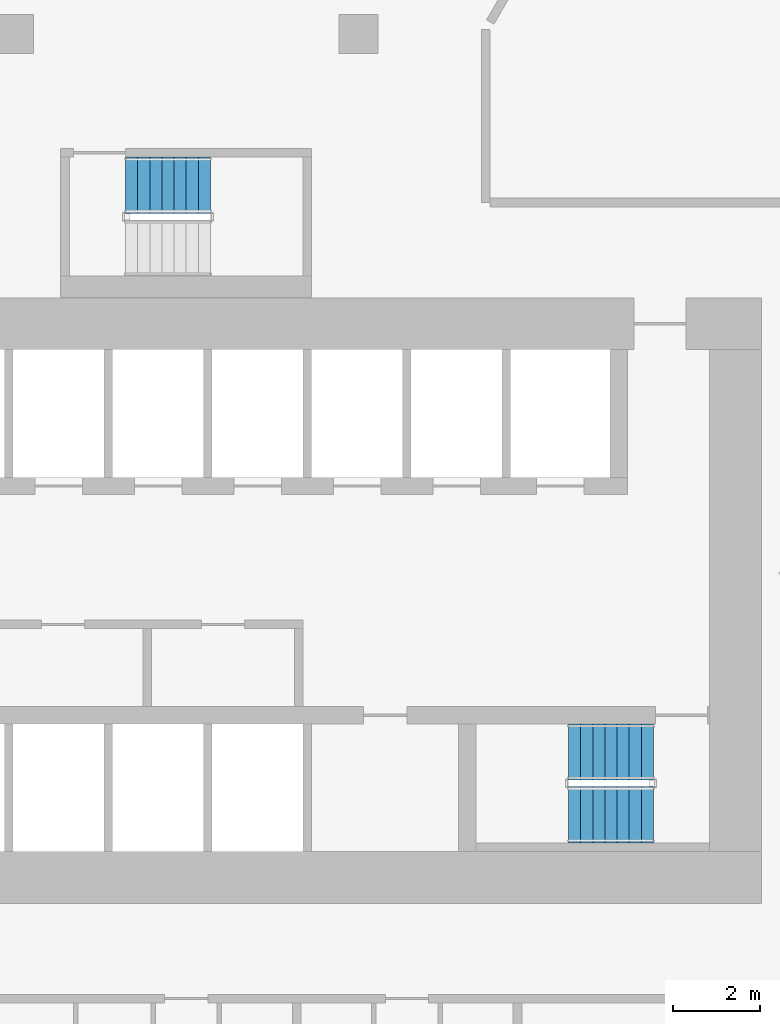
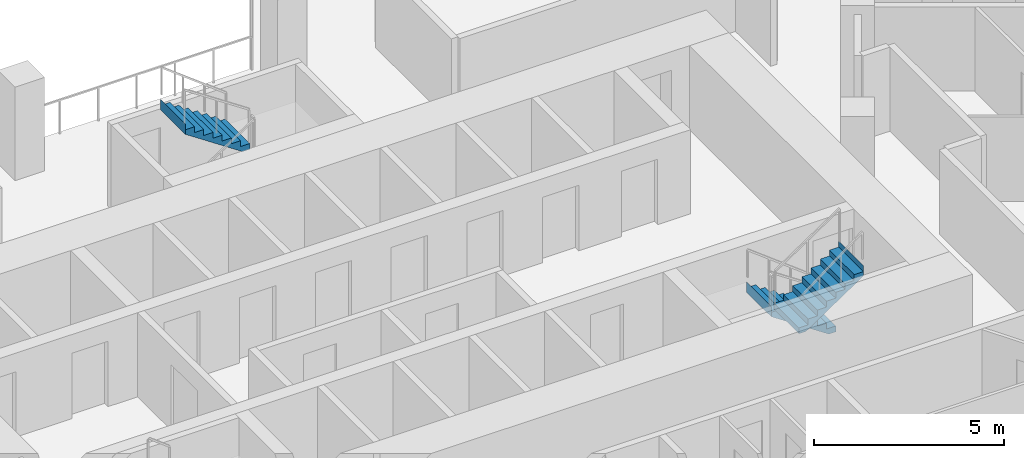
# One storey, part 12 of 16: 3 stair flights, 2 elements without a shape of their own.
"""IFC4 building model written with IfcOpenShell, lengths in metres."""

from ifc_helpers import new_model, si_unit, direction, frame, origin, place, context, subcontext, project, spatial, triangles, material, type_object, element, aggregate, save


model = new_model("IFC4")

# Units and contexts
model_context = context("Model", 3, precision=1e-05, world=origin(), true_north=direction((0.0, 1.0)))
body_context = subcontext(model_context, "Body", "Model", "MODEL_VIEW")
ifc_project = project(units=[si_unit("LENGTHUNIT", "METRE"), si_unit("AREAUNIT", "SQUARE_METRE"), si_unit("VOLUMEUNIT", "CUBIC_METRE"), si_unit("PLANEANGLEUNIT", "RADIAN"), si_unit("MASSUNIT", "GRAM", prefix="KILO")], contexts=[model_context])

# Site, building, storey
site_placement = place(None, origin())
site = spatial("IfcSite", under=ifc_project, at=site_placement, CompositionType="ELEMENT")
building_placement = place(site_placement, origin())
building = spatial("IfcBuilding", under=site, at=building_placement, Name="Beryl Residences", CompositionType="ELEMENT")
storey_placement = place(building_placement, frame((0.0, 0.0, 38.39990234375)))
storey = spatial("IfcBuildingStorey", under=building, at=storey_placement, Name="L11", CompositionType="ELEMENT", Elevation=38.39990234375)

# Stair, stair flights
ifc_material_1 = material(Name="Concrete C40/50", Category="concrete")
stair_type = type_object("IfcStairType", Name="ST1 protected exit stair, half-turn, 1300 mm flights", PredefinedType="HALF_TURN_STAIR", material=ifc_material_1)
stair_1_placement = place(storey_placement, origin())
stair_1 = element("IfcStair", 1, at=stair_1_placement, inside=storey, type_object=stair_type, Name="L11 PROTECTED EXIT STAIR ST-3", PredefinedType="HALF_TURN_STAIR")
ifc_material_2 = material(Name="Concrete C40/50", Category="concrete")
stair_flight_type = type_object("IfcStairFlightType", Name="SF1 stair flight 1300 mm", PredefinedType="STRAIGHT", material=ifc_material_2)
stair_flight_1_placement = place(storey_placement, frame((10.800048828125, -15.5, 0.0), z_axis=(0.0, 0.0, 1.0), x_axis=(-1.0, 0.0, 0.0)))
stair_flight_1 = element("IfcStairFlight", 2, at=stair_flight_1_placement, type_object=stair_flight_type, Name="ST-3 flight 1", NumberOfRisers=8, NumberOfTreads=7, PredefinedType="STRAIGHT", RiserHeight=0.1875, TreadLength=0.28, context=body_context, shape_type="Tessellation", body=[
    triangles([(0.0, -0.64990234375, 0.0), (0.0, -0.324951171875, 0.0), (0.0, 0.0, 0.0), (0.0, 0.324951171875, 0.0), (0.0, 0.64990234375, 0.0), (0.0, -0.64990234375, 0.1875), (0.0, -0.324951171875, 0.1875), (0.0, 0.0, 0.1875), (0.0, 0.324951171875, 0.1875), (0.0, 0.64990234375, 0.1875), (0.280029296875, -0.64990234375, 0.1875), (0.280029296875, -0.324951171875, 0.1875), (0.280029296875, 0.0, 0.1875), (0.280029296875, 0.324951171875, 0.1875), (0.280029296875, 0.64990234375, 0.1875), (0.280029296875, -0.64990234375, 0.375), (0.280029296875, -0.324951171875, 0.375), (0.280029296875, 0.0, 0.375), (0.280029296875, 0.324951171875, 0.375), (0.280029296875, 0.64990234375, 0.375), (0.56005859375, -0.64990234375, 0.375), (0.56005859375, -0.324951171875, 0.375), (0.56005859375, 0.0, 0.375), (0.56005859375, 0.324951171875, 0.375), (0.56005859375, 0.64990234375, 0.375), (0.56005859375, -0.64990234375, 0.5625), (0.56005859375, -0.324951171875, 0.5625), (0.56005859375, 0.0, 0.5625), (0.56005859375, 0.324951171875, 0.5625), (0.56005859375, 0.64990234375, 0.5625), (0.840087890625, -0.64990234375, 0.5625), (0.840087890625, -0.324951171875, 0.5625), (0.840087890625, 0.0, 0.5625), (0.840087890625, 0.324951171875, 0.5625), (0.840087890625, 0.64990234375, 0.5625), (0.840087890625, -0.64990234375, 0.75), (0.840087890625, -0.324951171875, 0.75), (0.840087890625, 0.0, 0.75), (0.840087890625, 0.324951171875, 0.75), (0.840087890625, 0.64990234375, 0.75), (1.1201171875, -0.64990234375, 0.75), (1.1201171875, -0.324951171875, 0.75), (1.1201171875, 0.0, 0.75), (1.1201171875, 0.324951171875, 0.75), (1.1201171875, 0.64990234375, 0.75), (1.1201171875, -0.64990234375, 0.9375), (1.1201171875, -0.324951171875, 0.9375), (1.1201171875, 0.0, 0.9375), (1.1201171875, 0.324951171875, 0.9375), (1.1201171875, 0.64990234375, 0.9375), (1.39990234375, -0.64990234375, 0.9375), (1.39990234375, -0.324951171875, 0.9375), (1.39990234375, 0.0, 0.9375), (1.39990234375, 0.324951171875, 0.9375), (1.39990234375, 0.64990234375, 0.9375), (1.39990234375, -0.64990234375, 1.125), (1.39990234375, -0.324951171875, 1.125), (1.39990234375, 0.0, 1.125), (1.39990234375, 0.324951171875, 1.125), (1.39990234375, 0.64990234375, 1.125), (1.679931640625, -0.64990234375, 1.125), (1.679931640625, -0.324951171875, 1.125), (1.679931640625, 0.0, 1.125), (1.679931640625, 0.324951171875, 1.125), (1.679931640625, 0.64990234375, 1.125), (1.679931640625, -0.64990234375, 1.3125), (1.679931640625, -0.324951171875, 1.3125), (1.679931640625, 0.0, 1.3125), (1.679931640625, 0.324951171875, 1.3125), (1.679931640625, 0.64990234375, 1.3125), (1.9599609375, -0.64990234375, 1.3125), (1.9599609375, -0.324951171875, 1.3125), (1.9599609375, 0.0, 1.3125), (1.9599609375, 0.324951171875, 1.3125), (1.9599609375, 0.64990234375, 1.3125), (1.9599609375, -0.64990234375, 1.5), (1.9599609375, -0.324951171875, 1.5), (1.9599609375, 0.0, 1.5), (1.9599609375, 0.324951171875, 1.5), (1.9599609375, 0.64990234375, 1.5), (1.9609375, -0.64990234375, 1.5), (1.9609375, -0.324951171875, 1.5), (1.9609375, 0.0, 1.5), (1.9609375, 0.324951171875, 1.5), (1.9609375, 0.64990234375, 1.5), (1.9609375, -0.64990234375, 1.16796875), (1.9609375, -0.324951171875, 1.16796875), (1.9609375, 0.0, 1.16796875), (1.9609375, 0.324951171875, 1.16796875), (1.9609375, 0.64990234375, 1.16796875), (0.216796875, -0.64990234375, 0.0), (0.216796875, -0.324951171875, 0.0), (0.216796875, 0.0, 0.0), (0.216796875, 0.324951171875, 0.0), (0.216796875, 0.64990234375, 0.0)], [[1, 6, 7], [1, 7, 2], [2, 7, 8], [2, 8, 3], [3, 8, 9], [3, 9, 4], [4, 9, 10], [4, 10, 5], [6, 11, 12], [6, 12, 7], [7, 12, 13], [7, 13, 8], [8, 13, 14], [8, 14, 9], [9, 14, 15], [9, 15, 10], [11, 16, 17], [11, 17, 12], [12, 17, 18], [12, 18, 13], [13, 18, 19], [13, 19, 14], [14, 19, 20], [14, 20, 15], [16, 21, 22], [16, 22, 17], [17, 22, 23], [17, 23, 18], [18, 23, 24], [18, 24, 19], [19, 24, 25], [19, 25, 20], [21, 26, 27], [21, 27, 22], [22, 27, 28], [22, 28, 23], [23, 28, 29], [23, 29, 24], [24, 29, 30], [24, 30, 25], [26, 31, 32], [26, 32, 27], [27, 32, 33], [27, 33, 28], [28, 33, 34], [28, 34, 29], [29, 34, 35], [29, 35, 30], [31, 36, 37], [31, 37, 32], [32, 37, 38], [32, 38, 33], [33, 38, 39], [33, 39, 34], [34, 39, 40], [34, 40, 35], [36, 41, 42], [36, 42, 37], [37, 42, 43], [37, 43, 38], [38, 43, 44], [38, 44, 39], [39, 44, 45], [39, 45, 40], [41, 46, 47], [41, 47, 42], [42, 47, 48], [42, 48, 43], [43, 48, 49], [43, 49, 44], [44, 49, 50], [44, 50, 45], [46, 51, 52], [46, 52, 47], [47, 52, 53], [47, 53, 48], [48, 53, 54], [48, 54, 49], [49, 54, 55], [49, 55, 50], [51, 56, 57], [51, 57, 52], [52, 57, 58], [52, 58, 53], [53, 58, 59], [53, 59, 54], [54, 59, 60], [54, 60, 55], [56, 61, 62], [56, 62, 57], [57, 62, 63], [57, 63, 58], [58, 63, 64], [58, 64, 59], [59, 64, 65], [59, 65, 60], [61, 66, 67], [61, 67, 62], [62, 67, 68], [62, 68, 63], [63, 68, 69], [63, 69, 64], [64, 69, 70], [64, 70, 65], [66, 71, 72], [66, 72, 67], [67, 72, 73], [67, 73, 68], [68, 73, 74], [68, 74, 69], [69, 74, 75], [69, 75, 70], [71, 76, 77], [71, 77, 72], [72, 77, 78], [72, 78, 73], [73, 78, 79], [73, 79, 74], [74, 79, 80], [74, 80, 75], [76, 81, 82], [76, 82, 77], [77, 82, 83], [77, 83, 78], [78, 83, 84], [78, 84, 79], [79, 84, 85], [79, 85, 80], [81, 86, 87], [81, 87, 82], [82, 87, 88], [82, 88, 83], [83, 88, 89], [83, 89, 84], [84, 89, 90], [84, 90, 85], [86, 91, 92], [86, 92, 87], [87, 92, 93], [87, 93, 88], [88, 93, 94], [88, 94, 89], [89, 94, 95], [89, 95, 90], [91, 1, 2], [91, 2, 92], [92, 2, 3], [92, 3, 93], [93, 3, 4], [93, 4, 94], [94, 4, 5], [94, 5, 95], [1, 91, 86], [5, 90, 95], [86, 81, 76], [90, 80, 85], [86, 76, 71], [90, 75, 80], [86, 71, 66], [90, 70, 75], [86, 66, 61], [90, 65, 70], [61, 56, 51], [65, 55, 60], [86, 61, 51], [90, 55, 65], [51, 46, 41], [55, 45, 50], [86, 51, 41], [90, 45, 55], [41, 36, 31], [45, 35, 40], [86, 41, 31], [90, 35, 45], [31, 26, 21], [35, 25, 30], [86, 31, 21], [90, 25, 35], [21, 16, 11], [25, 15, 20], [86, 21, 11], [90, 15, 25], [1, 86, 11], [5, 15, 90], [11, 6, 1], [15, 5, 10]], closed=True),
])
stair_flight_2_placement = place(storey_placement, frame((8.840087890625, -16.949951171875, 1.5), z_axis=(0.0, 0.0, 1.0), x_axis=(1.0, 0.0, 0.0)))
stair_flight_2 = element("IfcStairFlight", 3, at=stair_flight_2_placement, type_object=stair_flight_type, Name="ST-3 flight 2", NumberOfRisers=8, NumberOfTreads=7, PredefinedType="STRAIGHT", RiserHeight=0.1875, TreadLength=0.28, context=body_context, shape_type="Tessellation", body=[
    triangles([(0.0, -0.64990234375, 0.0), (0.0, -0.324951171875, 0.0), (0.0, 0.0, 0.0), (0.0, 0.324951171875, 0.0), (0.0, 0.64990234375, 0.0), (0.0, -0.64990234375, 0.1875), (0.0, -0.324951171875, 0.1875), (0.0, 0.0, 0.1875), (0.0, 0.324951171875, 0.1875), (0.0, 0.64990234375, 0.1875), (0.280029296875, -0.64990234375, 0.1875), (0.280029296875, -0.324951171875, 0.1875), (0.280029296875, 0.0, 0.1875), (0.280029296875, 0.324951171875, 0.1875), (0.280029296875, 0.64990234375, 0.1875), (0.280029296875, -0.64990234375, 0.375), (0.280029296875, -0.324951171875, 0.375), (0.280029296875, 0.0, 0.375), (0.280029296875, 0.324951171875, 0.375), (0.280029296875, 0.64990234375, 0.375), (0.56005859375, -0.64990234375, 0.375), (0.56005859375, -0.324951171875, 0.375), (0.56005859375, 0.0, 0.375), (0.56005859375, 0.324951171875, 0.375), (0.56005859375, 0.64990234375, 0.375), (0.56005859375, -0.64990234375, 0.5625), (0.56005859375, -0.324951171875, 0.5625), (0.56005859375, 0.0, 0.5625), (0.56005859375, 0.324951171875, 0.5625), (0.56005859375, 0.64990234375, 0.5625), (0.840087890625, -0.64990234375, 0.5625), (0.840087890625, -0.324951171875, 0.5625), (0.840087890625, 0.0, 0.5625), (0.840087890625, 0.324951171875, 0.5625), (0.840087890625, 0.64990234375, 0.5625), (0.840087890625, -0.64990234375, 0.75), (0.840087890625, -0.324951171875, 0.75), (0.840087890625, 0.0, 0.75), (0.840087890625, 0.324951171875, 0.75), (0.840087890625, 0.64990234375, 0.75), (1.1201171875, -0.64990234375, 0.75), (1.1201171875, -0.324951171875, 0.75), (1.1201171875, 0.0, 0.75), (1.1201171875, 0.324951171875, 0.75), (1.1201171875, 0.64990234375, 0.75), (1.1201171875, -0.64990234375, 0.9375), (1.1201171875, -0.324951171875, 0.9375), (1.1201171875, 0.0, 0.9375), (1.1201171875, 0.324951171875, 0.9375), (1.1201171875, 0.64990234375, 0.9375), (1.39990234375, -0.64990234375, 0.9375), (1.39990234375, -0.324951171875, 0.9375), (1.39990234375, 0.0, 0.9375), (1.39990234375, 0.324951171875, 0.9375), (1.39990234375, 0.64990234375, 0.9375), (1.39990234375, -0.64990234375, 1.125), (1.39990234375, -0.324951171875, 1.125), (1.39990234375, 0.0, 1.125), (1.39990234375, 0.324951171875, 1.125), (1.39990234375, 0.64990234375, 1.125), (1.679931640625, -0.64990234375, 1.125), (1.679931640625, -0.324951171875, 1.125), (1.679931640625, 0.0, 1.125), (1.679931640625, 0.324951171875, 1.125), (1.679931640625, 0.64990234375, 1.125), (1.679931640625, -0.64990234375, 1.3125), (1.679931640625, -0.324951171875, 1.3125), (1.679931640625, 0.0, 1.3125), (1.679931640625, 0.324951171875, 1.3125), (1.679931640625, 0.64990234375, 1.3125), (1.9599609375, -0.64990234375, 1.3125), (1.9599609375, -0.324951171875, 1.3125), (1.9599609375, 0.0, 1.3125), (1.9599609375, 0.324951171875, 1.3125), (1.9599609375, 0.64990234375, 1.3125), (1.9599609375, -0.64990234375, 1.5), (1.9599609375, -0.324951171875, 1.5), (1.9599609375, 0.0, 1.5), (1.9599609375, 0.324951171875, 1.5), (1.9599609375, 0.64990234375, 1.5), (1.9609375, -0.64990234375, 1.5), (1.9609375, -0.324951171875, 1.5), (1.9609375, 0.0, 1.5), (1.9609375, 0.324951171875, 1.5), (1.9609375, 0.64990234375, 1.5), (1.9609375, -0.64990234375, 1.16796875), (1.9609375, -0.324951171875, 1.16796875), (1.9609375, 0.0, 1.16796875), (1.9609375, 0.324951171875, 1.16796875), (1.9609375, 0.64990234375, 1.16796875), (0.216796875, -0.64990234375, 0.0), (0.216796875, -0.324951171875, 0.0), (0.216796875, 0.0, 0.0), (0.216796875, 0.324951171875, 0.0), (0.216796875, 0.64990234375, 0.0)], [[1, 6, 7], [1, 7, 2], [2, 7, 8], [2, 8, 3], [3, 8, 9], [3, 9, 4], [4, 9, 10], [4, 10, 5], [6, 11, 12], [6, 12, 7], [7, 12, 13], [7, 13, 8], [8, 13, 14], [8, 14, 9], [9, 14, 15], [9, 15, 10], [11, 16, 17], [11, 17, 12], [12, 17, 18], [12, 18, 13], [13, 18, 19], [13, 19, 14], [14, 19, 20], [14, 20, 15], [16, 21, 22], [16, 22, 17], [17, 22, 23], [17, 23, 18], [18, 23, 24], [18, 24, 19], [19, 24, 25], [19, 25, 20], [21, 26, 27], [21, 27, 22], [22, 27, 28], [22, 28, 23], [23, 28, 29], [23, 29, 24], [24, 29, 30], [24, 30, 25], [26, 31, 32], [26, 32, 27], [27, 32, 33], [27, 33, 28], [28, 33, 34], [28, 34, 29], [29, 34, 35], [29, 35, 30], [31, 36, 37], [31, 37, 32], [32, 37, 38], [32, 38, 33], [33, 38, 39], [33, 39, 34], [34, 39, 40], [34, 40, 35], [36, 41, 42], [36, 42, 37], [37, 42, 43], [37, 43, 38], [38, 43, 44], [38, 44, 39], [39, 44, 45], [39, 45, 40], [41, 46, 47], [41, 47, 42], [42, 47, 48], [42, 48, 43], [43, 48, 49], [43, 49, 44], [44, 49, 50], [44, 50, 45], [46, 51, 52], [46, 52, 47], [47, 52, 53], [47, 53, 48], [48, 53, 54], [48, 54, 49], [49, 54, 55], [49, 55, 50], [51, 56, 57], [51, 57, 52], [52, 57, 58], [52, 58, 53], [53, 58, 59], [53, 59, 54], [54, 59, 60], [54, 60, 55], [56, 61, 62], [56, 62, 57], [57, 62, 63], [57, 63, 58], [58, 63, 64], [58, 64, 59], [59, 64, 65], [59, 65, 60], [61, 66, 67], [61, 67, 62], [62, 67, 68], [62, 68, 63], [63, 68, 69], [63, 69, 64], [64, 69, 70], [64, 70, 65], [66, 71, 72], [66, 72, 67], [67, 72, 73], [67, 73, 68], [68, 73, 74], [68, 74, 69], [69, 74, 75], [69, 75, 70], [71, 76, 77], [71, 77, 72], [72, 77, 78], [72, 78, 73], [73, 78, 79], [73, 79, 74], [74, 79, 80], [74, 80, 75], [76, 81, 82], [76, 82, 77], [77, 82, 83], [77, 83, 78], [78, 83, 84], [78, 84, 79], [79, 84, 85], [79, 85, 80], [81, 86, 87], [81, 87, 82], [82, 87, 88], [82, 88, 83], [83, 88, 89], [83, 89, 84], [84, 89, 90], [84, 90, 85], [86, 91, 92], [86, 92, 87], [87, 92, 93], [87, 93, 88], [88, 93, 94], [88, 94, 89], [89, 94, 95], [89, 95, 90], [91, 1, 2], [91, 2, 92], [92, 2, 3], [92, 3, 93], [93, 3, 4], [93, 4, 94], [94, 4, 5], [94, 5, 95], [1, 91, 86], [5, 90, 95], [86, 81, 76], [90, 80, 85], [86, 76, 71], [90, 75, 80], [86, 71, 66], [90, 70, 75], [86, 66, 61], [90, 65, 70], [61, 56, 51], [65, 55, 60], [86, 61, 51], [90, 55, 65], [51, 46, 41], [55, 45, 50], [86, 51, 41], [90, 45, 55], [41, 36, 31], [45, 35, 40], [86, 41, 31], [90, 35, 45], [31, 26, 21], [35, 25, 30], [86, 31, 21], [90, 25, 35], [21, 16, 11], [25, 15, 20], [86, 21, 11], [90, 15, 25], [1, 86, 11], [5, 15, 90], [11, 6, 1], [15, 5, 10]], closed=True),
])
aggregate(stair_1, [stair_flight_1, stair_flight_2])

# Stair, stair flight
stair_2_placement = place(storey_placement, origin())
stair_2 = element("IfcStair", 4, at=stair_2_placement, inside=storey, type_object=stair_type, Name="L11 PROTECTED EXIT STAIR ST-4", PredefinedType="HALF_TURN_STAIR")
stair_flight_3_placement = place(storey_placement, frame((0.56005859375, -2.39990234375, 1.5), z_axis=(0.0, 0.0, 1.0), x_axis=(-1.0, 0.0, 0.0)))
stair_flight_3 = element("IfcStairFlight", 5, at=stair_flight_3_placement, type_object=stair_flight_type, Name="ST-4 flight 2", NumberOfRisers=8, NumberOfTreads=7, PredefinedType="STRAIGHT", RiserHeight=0.1875, TreadLength=0.28, context=body_context, shape_type="Tessellation", body=[
    triangles([(0.0, -0.64990234375, 0.0), (0.0, -0.324951171875, 0.0), (0.0, 0.0, 0.0), (0.0, 0.324951171875, 0.0), (0.0, 0.64990234375, 0.0), (0.0, -0.64990234375, 0.1875), (0.0, -0.324951171875, 0.1875), (0.0, 0.0, 0.1875), (0.0, 0.324951171875, 0.1875), (0.0, 0.64990234375, 0.1875), (0.280029296875, -0.64990234375, 0.1875), (0.280029296875, -0.324951171875, 0.1875), (0.280029296875, 0.0, 0.1875), (0.280029296875, 0.324951171875, 0.1875), (0.280029296875, 0.64990234375, 0.1875), (0.280029296875, -0.64990234375, 0.375), (0.280029296875, -0.324951171875, 0.375), (0.280029296875, 0.0, 0.375), (0.280029296875, 0.324951171875, 0.375), (0.280029296875, 0.64990234375, 0.375), (0.56005859375, -0.64990234375, 0.375), (0.56005859375, -0.324951171875, 0.375), (0.56005859375, 0.0, 0.375), (0.56005859375, 0.324951171875, 0.375), (0.56005859375, 0.64990234375, 0.375), (0.56005859375, -0.64990234375, 0.5625), (0.56005859375, -0.324951171875, 0.5625), (0.56005859375, 0.0, 0.5625), (0.56005859375, 0.324951171875, 0.5625), (0.56005859375, 0.64990234375, 0.5625), (0.840087890625, -0.64990234375, 0.5625), (0.840087890625, -0.324951171875, 0.5625), (0.840087890625, 0.0, 0.5625), (0.840087890625, 0.324951171875, 0.5625), (0.840087890625, 0.64990234375, 0.5625), (0.840087890625, -0.64990234375, 0.75), (0.840087890625, -0.324951171875, 0.75), (0.840087890625, 0.0, 0.75), (0.840087890625, 0.324951171875, 0.75), (0.840087890625, 0.64990234375, 0.75), (1.1201171875, -0.64990234375, 0.75), (1.1201171875, -0.324951171875, 0.75), (1.1201171875, 0.0, 0.75), (1.1201171875, 0.324951171875, 0.75), (1.1201171875, 0.64990234375, 0.75), (1.1201171875, -0.64990234375, 0.9375), (1.1201171875, -0.324951171875, 0.9375), (1.1201171875, 0.0, 0.9375), (1.1201171875, 0.324951171875, 0.9375), (1.1201171875, 0.64990234375, 0.9375), (1.39990234375, -0.64990234375, 0.9375), (1.39990234375, -0.324951171875, 0.9375), (1.39990234375, 0.0, 0.9375), (1.39990234375, 0.324951171875, 0.9375), (1.39990234375, 0.64990234375, 0.9375), (1.39990234375, -0.64990234375, 1.125), (1.39990234375, -0.324951171875, 1.125), (1.39990234375, 0.0, 1.125), (1.39990234375, 0.324951171875, 1.125), (1.39990234375, 0.64990234375, 1.125), (1.679931640625, -0.64990234375, 1.125), (1.679931640625, -0.324951171875, 1.125), (1.679931640625, 0.0, 1.125), (1.679931640625, 0.324951171875, 1.125), (1.679931640625, 0.64990234375, 1.125), (1.679931640625, -0.64990234375, 1.3125), (1.679931640625, -0.324951171875, 1.3125), (1.679931640625, 0.0, 1.3125), (1.679931640625, 0.324951171875, 1.3125), (1.679931640625, 0.64990234375, 1.3125), (1.9599609375, -0.64990234375, 1.3125), (1.9599609375, -0.324951171875, 1.3125), (1.9599609375, 0.0, 1.3125), (1.9599609375, 0.324951171875, 1.3125), (1.9599609375, 0.64990234375, 1.3125), (1.9599609375, -0.64990234375, 1.5), (1.9599609375, -0.324951171875, 1.5), (1.9599609375, 0.0, 1.5), (1.9599609375, 0.324951171875, 1.5), (1.9599609375, 0.64990234375, 1.5), (1.9609375, -0.64990234375, 1.5), (1.9609375, -0.324951171875, 1.5), (1.9609375, 0.0, 1.5), (1.9609375, 0.324951171875, 1.5), (1.9609375, 0.64990234375, 1.5), (1.9609375, -0.64990234375, 1.16796875), (1.9609375, -0.324951171875, 1.16796875), (1.9609375, 0.0, 1.16796875), (1.9609375, 0.324951171875, 1.16796875), (1.9609375, 0.64990234375, 1.16796875), (0.216796875, -0.64990234375, 0.0), (0.216796875, -0.324951171875, 0.0), (0.216796875, 0.0, 0.0), (0.216796875, 0.324951171875, 0.0), (0.216796875, 0.64990234375, 0.0)], [[1, 6, 7], [1, 7, 2], [2, 7, 8], [2, 8, 3], [3, 8, 9], [3, 9, 4], [4, 9, 10], [4, 10, 5], [6, 11, 12], [6, 12, 7], [7, 12, 13], [7, 13, 8], [8, 13, 14], [8, 14, 9], [9, 14, 15], [9, 15, 10], [11, 16, 17], [11, 17, 12], [12, 17, 18], [12, 18, 13], [13, 18, 19], [13, 19, 14], [14, 19, 20], [14, 20, 15], [16, 21, 22], [16, 22, 17], [17, 22, 23], [17, 23, 18], [18, 23, 24], [18, 24, 19], [19, 24, 25], [19, 25, 20], [21, 26, 27], [21, 27, 22], [22, 27, 28], [22, 28, 23], [23, 28, 29], [23, 29, 24], [24, 29, 30], [24, 30, 25], [26, 31, 32], [26, 32, 27], [27, 32, 33], [27, 33, 28], [28, 33, 34], [28, 34, 29], [29, 34, 35], [29, 35, 30], [31, 36, 37], [31, 37, 32], [32, 37, 38], [32, 38, 33], [33, 38, 39], [33, 39, 34], [34, 39, 40], [34, 40, 35], [36, 41, 42], [36, 42, 37], [37, 42, 43], [37, 43, 38], [38, 43, 44], [38, 44, 39], [39, 44, 45], [39, 45, 40], [41, 46, 47], [41, 47, 42], [42, 47, 48], [42, 48, 43], [43, 48, 49], [43, 49, 44], [44, 49, 50], [44, 50, 45], [46, 51, 52], [46, 52, 47], [47, 52, 53], [47, 53, 48], [48, 53, 54], [48, 54, 49], [49, 54, 55], [49, 55, 50], [51, 56, 57], [51, 57, 52], [52, 57, 58], [52, 58, 53], [53, 58, 59], [53, 59, 54], [54, 59, 60], [54, 60, 55], [56, 61, 62], [56, 62, 57], [57, 62, 63], [57, 63, 58], [58, 63, 64], [58, 64, 59], [59, 64, 65], [59, 65, 60], [61, 66, 67], [61, 67, 62], [62, 67, 68], [62, 68, 63], [63, 68, 69], [63, 69, 64], [64, 69, 70], [64, 70, 65], [66, 71, 72], [66, 72, 67], [67, 72, 73], [67, 73, 68], [68, 73, 74], [68, 74, 69], [69, 74, 75], [69, 75, 70], [71, 76, 77], [71, 77, 72], [72, 77, 78], [72, 78, 73], [73, 78, 79], [73, 79, 74], [74, 79, 80], [74, 80, 75], [76, 81, 82], [76, 82, 77], [77, 82, 83], [77, 83, 78], [78, 83, 84], [78, 84, 79], [79, 84, 85], [79, 85, 80], [81, 86, 87], [81, 87, 82], [82, 87, 88], [82, 88, 83], [83, 88, 89], [83, 89, 84], [84, 89, 90], [84, 90, 85], [86, 91, 92], [86, 92, 87], [87, 92, 93], [87, 93, 88], [88, 93, 94], [88, 94, 89], [89, 94, 95], [89, 95, 90], [91, 1, 2], [91, 2, 92], [92, 2, 3], [92, 3, 93], [93, 3, 4], [93, 4, 94], [94, 4, 5], [94, 5, 95], [1, 91, 86], [5, 90, 95], [86, 81, 76], [90, 80, 85], [86, 76, 71], [90, 75, 80], [86, 71, 66], [90, 70, 75], [86, 66, 61], [90, 65, 70], [61, 56, 51], [65, 55, 60], [86, 61, 51], [90, 55, 65], [51, 46, 41], [55, 45, 50], [86, 51, 41], [90, 45, 55], [41, 36, 31], [45, 35, 40], [86, 41, 31], [90, 35, 45], [31, 26, 21], [35, 25, 30], [86, 31, 21], [90, 25, 35], [21, 16, 11], [25, 15, 20], [86, 21, 11], [90, 15, 25], [1, 86, 11], [5, 15, 90], [11, 6, 1], [15, 5, 10]], closed=True),
])
aggregate(stair_2, [stair_flight_3])

save(model, "model.ifc")
